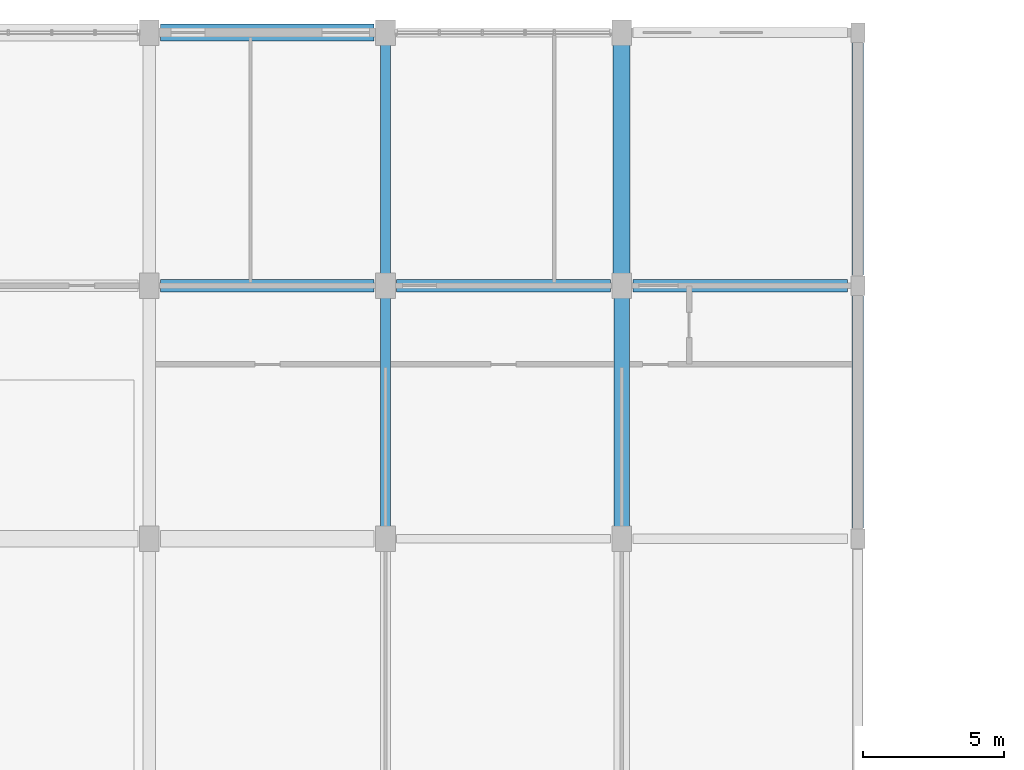
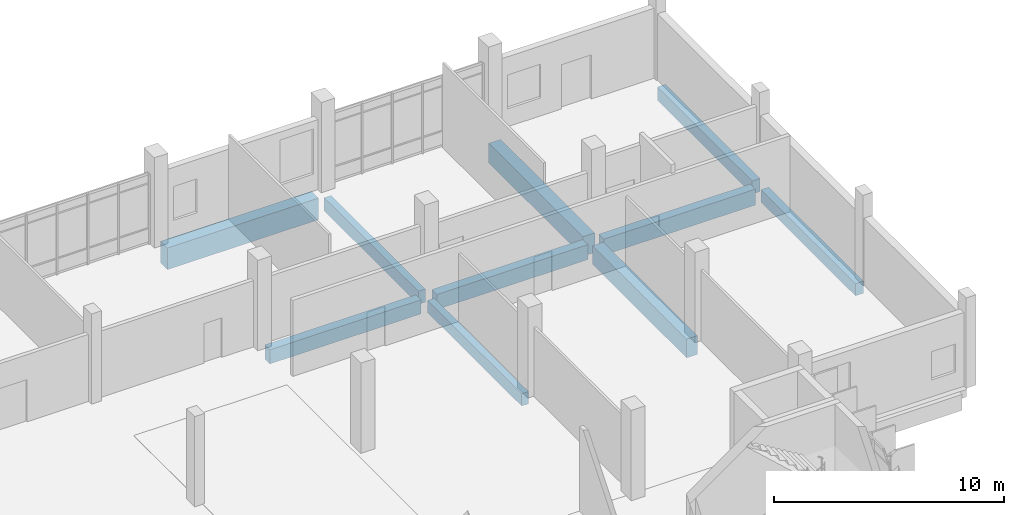
# One storey, part 57 of 95: 10 beams.
"""IFC4 building model written with IfcOpenShell, lengths in metres."""

from ifc_helpers import new_model, si_unit, direction, frame, origin, origin_2d, place, context, subcontext, project, spatial, rectangle, extrude, material, material_profile, profile_set, type_object, element, save


model = new_model("IFC4")

# Units and contexts
model_context = context("Model", 3, precision=1e-05, world=origin(), true_north=direction((0.0, 1.0)))
body_context = subcontext(model_context, "Body", "Model", "MODEL_VIEW")
ifc_project = project(units=[si_unit("LENGTHUNIT", "METRE"), si_unit("AREAUNIT", "SQUARE_METRE"), si_unit("VOLUMEUNIT", "CUBIC_METRE"), si_unit("PLANEANGLEUNIT", "RADIAN"), si_unit("MASSUNIT", "GRAM", prefix="KILO")], contexts=[model_context])

# Site, building, storey
site_placement = place(None, origin())
site = spatial("IfcSite", under=ifc_project, at=site_placement, CompositionType="ELEMENT")
building_placement = place(site_placement, origin())
building = spatial("IfcBuilding", under=site, at=building_placement, Name="Vireocrest Preparatory School", CompositionType="ELEMENT")
storey_placement = place(building_placement, origin())
storey = spatial("IfcBuildingStorey", under=building, at=storey_placement, Name="L00", CompositionType="ELEMENT", Elevation=0.0)

# Beams
ifc_material = material(Name="Concrete 40 MPa", Category="concrete")
ifc_material_profile_1 = material_profile(ifc_material, rectangle(XDim=0.35009765625, YDim=0.64990234375, at=origin_2d()), Name="RC 350x650")
ifc_profile_set_1 = profile_set([ifc_material_profile_1], Name="Concrete 40 MPa")
beam_type_1 = type_object("IfcBeamType", Name="RC Classroom Girder 350x650", PredefinedType="BEAM", material=ifc_profile_set_1)
beam_1_placement = place(storey_placement, frame((100.800048828125, 95.199951171875, -0.675048828125), z_axis=(0.0, 1.0, 0.0), x_axis=(-1.0, 0.0, 0.0)))
element("IfcBeam", 1, at=beam_1_placement, inside=storey, type_object=beam_type_1, Name="Primary Girder B05 L00-0214", PredefinedType="BEAM", context=body_context, shape_type="SweptSolid", body=[
    extrude(rectangle(XDim=0.35009765625, YDim=0.64990234375, at=origin_2d()), origin(), (0.0, 0.0, 1.0), 8.199951171875),
])
ifc_material_profile_2 = material_profile(ifc_material, rectangle(XDim=0.550048828125, YDim=1.0, at=origin_2d()), Name="RC 550x1000")
ifc_profile_set_2 = profile_set([ifc_material_profile_2], Name="Concrete 40 MPa")
beam_type_2 = type_object("IfcBeamType", Name="RC Core Coupling Beam 550x1000", PredefinedType="BEAM", material=ifc_profile_set_2)
beam_2_placement = place(storey_placement, frame((109.199951171875, 95.199951171875, -0.85009765625), z_axis=(0.0, 1.0, 0.0), x_axis=(-1.0, 0.0, 0.0)))
element("IfcBeam", 2, at=beam_2_placement, inside=storey, type_object=beam_type_2, Name="Primary Girder B18 L00-0227", PredefinedType="BEAM", context=body_context, shape_type="SweptSolid", body=[
    extrude(rectangle(XDim=0.550048828125, YDim=1.0, at=origin_2d()), origin(), (0.0, 0.0, 1.0), 8.199951171875),
])
ifc_material_profile_3 = material_profile(ifc_material, rectangle(XDim=0.39990234375, YDim=0.699951171875, at=origin_2d()), Name="RC 400x700")
ifc_profile_set_3 = profile_set([ifc_material_profile_3], Name="Concrete 40 MPa")
beam_type_3 = type_object("IfcBeamType", Name="RC Corridor Girder 400x700", PredefinedType="BEAM", material=ifc_profile_set_3)
beam_3_placement = place(storey_placement, frame((117.60009765625, 104.175048828125, -0.699951171875), z_axis=(0.0, 1.0, 0.0), x_axis=(-1.0, 0.0, 0.0)))
element("IfcBeam", 3, at=beam_3_placement, inside=storey, type_object=beam_type_3, Name="Primary Girder B08 L00-0235", PredefinedType="BEAM", context=body_context, shape_type="SweptSolid", body=[
    extrude(rectangle(XDim=0.39990234375, YDim=0.699951171875, at=origin_2d()), origin(), (0.0, 0.0, 1.0), 8.25),
])
ifc_material_profile_4 = material_profile(ifc_material, rectangle(XDim=0.449951171875, YDim=0.85009765625, at=origin_2d()), Name="RC 450x850")
ifc_profile_set_4 = profile_set([ifc_material_profile_4], Name="Concrete 40 MPa")
beam_type_4 = type_object("IfcBeamType", Name="RC Heavy Floor Girder 450x850", PredefinedType="BEAM", material=ifc_profile_set_4)
beam_4_placement = place(storey_placement, frame((109.60009765625, 103.800048828125, -0.77490234375), z_axis=(1.0, 0.0, 0.0), x_axis=(0.0, 1.0, 0.0)))
element("IfcBeam", 4, at=beam_4_placement, inside=storey, type_object=beam_type_4, Name="Primary Girder B13 L00-0119", PredefinedType="BEAM", context=body_context, shape_type="SweptSolid", body=[
    extrude(rectangle(XDim=0.449951171875, YDim=0.85009765625, at=origin_2d()), origin(), (0.0, 0.0, 1.0), 7.625),
])
ifc_material_profile_5 = material_profile(ifc_material, rectangle(XDim=0.60009765625, YDim=1.14990234375, at=origin_2d()), Name="RC 600x1150")
ifc_profile_set_5 = profile_set([ifc_material_profile_5], Name="Concrete 40 MPa")
beam_type_5 = type_object("IfcBeamType", Name="RC Heavy Transfer Girder 600x1150", PredefinedType="BEAM", material=ifc_profile_set_5)
beam_5_placement = place(storey_placement, frame((92.800048828125, 112.800048828125, -0.925048828125), z_axis=(1.0, 0.0, 0.0), x_axis=(0.0, 1.0, 0.0)))
element("IfcBeam", 5, at=beam_5_placement, inside=storey, type_object=beam_type_5, Name="Primary Girder B20 L00-0126", PredefinedType="BEAM", context=body_context, shape_type="SweptSolid", body=[
    extrude(rectangle(XDim=0.60009765625, YDim=1.14990234375, at=origin_2d()), origin(), (0.0, 0.0, 1.0), 7.599853515625),
])
ifc_material_profile_6 = material_profile(ifc_material, rectangle(XDim=0.35009765625, YDim=0.699951171875, at=origin_2d()), Name="RC 350x700")
ifc_profile_set_6 = profile_set([ifc_material_profile_6], Name="Concrete 40 MPa")
beam_type_6 = type_object("IfcBeamType", Name="RC Laboratory Girder 350x700", PredefinedType="BEAM", material=ifc_profile_set_6)
beam_6_placement = place(storey_placement, frame((100.800048828125, 104.199951171875, -0.699951171875), z_axis=(0.0, 1.0, 0.0), x_axis=(-1.0, 0.0, 0.0)))
element("IfcBeam", 6, at=beam_6_placement, inside=storey, type_object=beam_type_6, Name="Primary Girder B06 L00-0215", PredefinedType="BEAM", context=body_context, shape_type="SweptSolid", body=[
    extrude(rectangle(XDim=0.35009765625, YDim=0.699951171875, at=origin_2d()), origin(), (0.0, 0.0, 1.0), 8.199951171875),
])
ifc_material_profile_7 = material_profile(ifc_material, rectangle(XDim=0.39990234375, YDim=0.64990234375, at=origin_2d()), Name="RC 400x650")
ifc_profile_set_7 = profile_set([ifc_material_profile_7], Name="Concrete 40 MPa")
beam_type_7 = type_object("IfcBeamType", Name="RC Laboratory Girder 400x650", PredefinedType="BEAM", material=ifc_profile_set_7)
beam_7_placement = place(storey_placement, frame((117.60009765625, 95.175048828125, -0.675048828125), z_axis=(0.0, 1.0, 0.0), x_axis=(-1.0, 0.0, 0.0)))
element("IfcBeam", 7, at=beam_7_placement, inside=storey, type_object=beam_type_7, Name="Primary Girder B07 L00-0234", PredefinedType="BEAM", context=body_context, shape_type="SweptSolid", body=[
    extrude(rectangle(XDim=0.39990234375, YDim=0.64990234375, at=origin_2d()), origin(), (0.0, 0.0, 1.0), 8.25),
])
ifc_material_profile_8 = material_profile(ifc_material, rectangle(XDim=0.449951171875, YDim=0.75, at=origin_2d()), Name="RC 450x750")
ifc_profile_set_8 = profile_set([ifc_material_profile_8], Name="Concrete 40 MPa")
beam_type_8 = type_object("IfcBeamType", Name="RC Library Stack Girder 450x750", PredefinedType="BEAM", material=ifc_profile_set_8)
beam_8_placement = place(storey_placement, frame((92.800048828125, 103.800048828125, -0.72509765625), z_axis=(1.0, 0.0, 0.0), x_axis=(0.0, 1.0, 0.0)))
element("IfcBeam", 8, at=beam_8_placement, inside=storey, type_object=beam_type_8, Name="Primary Girder B11 L00-0117", PredefinedType="BEAM", context=body_context, shape_type="SweptSolid", body=[
    extrude(rectangle(XDim=0.449951171875, YDim=0.75, at=origin_2d()), origin(), (0.0, 0.0, 1.0), 7.599853515625),
])
ifc_material_profile_9 = material_profile(ifc_material, rectangle(XDim=0.449951171875, YDim=0.800048828125, at=origin_2d()), Name="RC 450x800")
ifc_profile_set_9 = profile_set([ifc_material_profile_9], Name="Concrete 40 MPa")
beam_type_9 = type_object("IfcBeamType", Name="RC Library Stack Girder 450x800", PredefinedType="BEAM", material=ifc_profile_set_9)
beam_9_placement = place(storey_placement, frame((101.199951171875, 103.800048828125, -0.75), z_axis=(1.0, 0.0, 0.0), x_axis=(0.0, 1.0, 0.0)))
element("IfcBeam", 9, at=beam_9_placement, inside=storey, type_object=beam_type_9, Name="Primary Girder B12 L00-0118", PredefinedType="BEAM", context=body_context, shape_type="SweptSolid", body=[
    extrude(rectangle(XDim=0.449951171875, YDim=0.800048828125, at=origin_2d()), origin(), (0.0, 0.0, 1.0), 7.60009765625),
])
ifc_material_profile_10 = material_profile(ifc_material, rectangle(XDim=0.60009765625, YDim=1.050048828125, at=origin_2d()), Name="RC 600x1050")
ifc_profile_set_10 = profile_set([ifc_material_profile_10], Name="Concrete 40 MPa")
beam_type_10 = type_object("IfcBeamType", Name="RC Transfer Girder 600x1050", PredefinedType="BEAM", material=ifc_profile_set_10)
beam_10_placement = place(storey_placement, frame((109.199951171875, 104.199951171875, -0.875), z_axis=(0.0, 1.0, 0.0), x_axis=(-1.0, 0.0, 0.0)))
element("IfcBeam", 10, at=beam_10_placement, inside=storey, type_object=beam_type_10, Name="Primary Girder B19 L00-0228", PredefinedType="BEAM", context=body_context, shape_type="SweptSolid", body=[
    extrude(rectangle(XDim=0.60009765625, YDim=1.050048828125, at=origin_2d()), origin(), (0.0, 0.0, 1.0), 8.199951171875),
])

save(model, "model.ifc")
